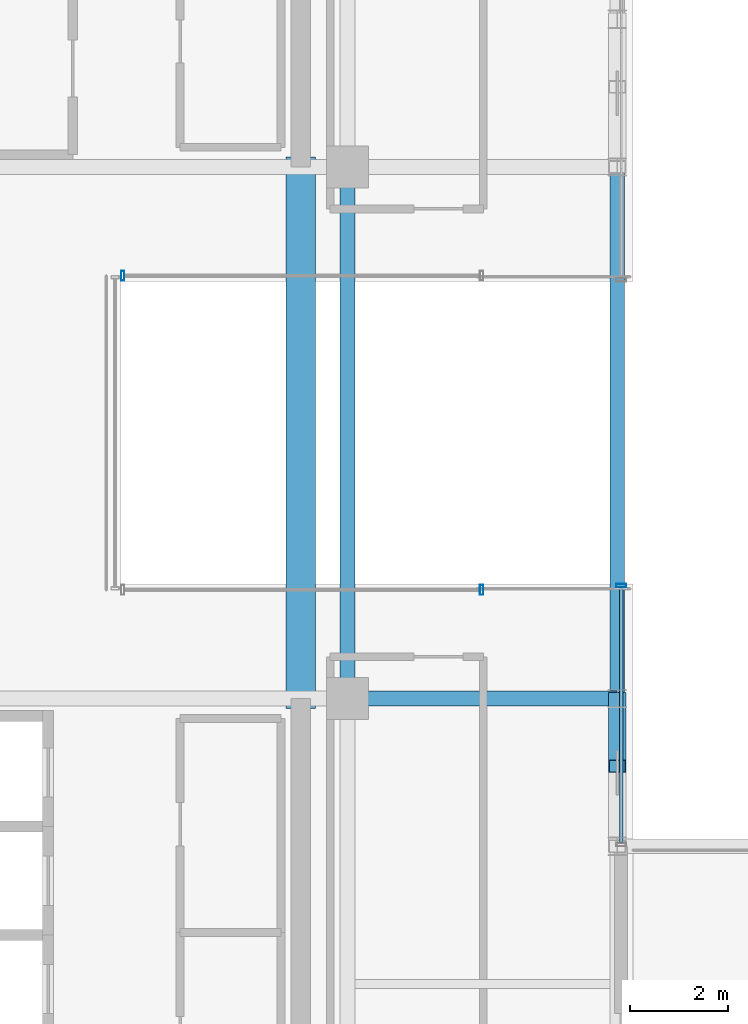
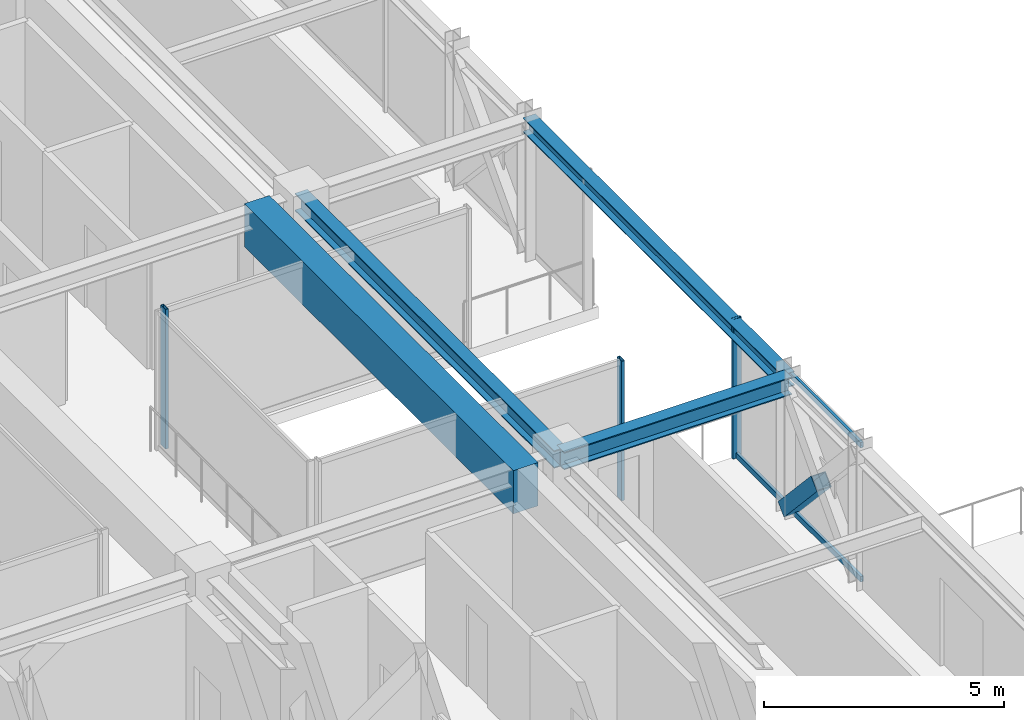
# One storey, part 20 of 39: 6 members, 4 beams, 3 elements without a shape of their own.
"""IFC4 building model written with IfcOpenShell, lengths in metres."""

import ifcopenshell
import ifcopenshell.guid

model = None  # the IFC model being written
_history = None  # IfcOwnerHistory: only IFC2X3 demands one
_inside = {}  # id of a spatial element -> (the spatial element, [elements in it])
_under = {}  # id of a project, library or spatial element -> (it, [spatial elements below it])
_declared = {}  # id of a project -> (the project, [libraries it declares])
_typed = {}  # id of a type object -> (the type object, [elements of that type])
_made_of = {}  # id of a material, layer set ... -> (it, [elements and type objects made of it])


def new_model(schema):
    """Start an empty IFC model of exactly this schema.

    Asked for "IFC4X3", IfcOpenShell would pick the latest addendum, in which some entities
    have other attributes; the version numbers below select the first issue.
    IFC2X3 requires an IfcOwnerHistory on every rooted entity: one is made here for all.
    """
    global model, _history
    if schema == "IFC4X3":
        model = ifcopenshell.file(schema_version=(4, 3, 0, 0))
    else:
        model = ifcopenshell.file(schema=schema)
    _inside.clear()
    _under.clear()
    _declared.clear()
    _typed.clear()
    _made_of.clear()
    _history = None
    if model.schema == "IFC2X3":
        org = make("IfcOrganization", Name="unknown")
        user = make(
            "IfcPersonAndOrganization",
            ThePerson=make("IfcPerson", FamilyName="unknown"),
            TheOrganization=org,
        )
        app = make(
            "IfcApplication",
            ApplicationDeveloper=org,
            Version="unknown",
            ApplicationFullName="unknown",
            ApplicationIdentifier="unknown",
        )
        _history = make(
            "IfcOwnerHistory",
            OwningUser=user,
            OwningApplication=app,
            ChangeAction="ADDED",
            CreationDate=0,
        )
    return model


def make(cls, **values):
    """One entity of the class cls with the attributes given. An attribute that is None is left unset."""
    return model.create_entity(
        cls, **{name: value for name, value in values.items() if value is not None}
    )


def rooted(cls, **values):
    """An entity with a GlobalId (a new one), such as an element, a storey or a relation."""
    return make(cls, GlobalId=ifcopenshell.guid.new(), OwnerHistory=_history, **values)


def si_unit(unit_type, name, prefix=None):
    """IfcSIUnit, for example si_unit("LENGTHUNIT", "METRE", prefix="MILLI")."""
    return make("IfcSIUnit", UnitType=unit_type, Prefix=prefix, Name=name)


def assignment(units):
    """IfcUnitAssignment: the units of a project."""
    return None if units is None else make("IfcUnitAssignment", Units=units)


def point(xyz):
    """IfcCartesianPoint."""
    return None if xyz is None else make("IfcCartesianPoint", Coordinates=xyz)


def direction(xyz):
    """IfcDirection."""
    return None if xyz is None else make("IfcDirection", DirectionRatios=xyz)


def frame(location, z_axis=None, x_axis=None):
    """IfcAxis2Placement3D, a coordinate frame: its origin and axes. An axis left out is left unset."""
    return make(
        "IfcAxis2Placement3D",
        Location=point(location),
        Axis=direction(z_axis),
        RefDirection=direction(x_axis),
    )


def frame_2d(location, x_axis=None):
    """IfcAxis2Placement2D, a coordinate frame in the plane: its origin and x axis."""
    return make(
        "IfcAxis2Placement2D", Location=point(location), RefDirection=direction(x_axis)
    )


def origin():
    """The frame at (0, 0, 0) with its axes left unset."""
    return frame((0.0, 0.0, 0.0))


def origin_2d():
    """The frame at (0, 0) in the plane with its x axis left unset."""
    return frame_2d((0.0, 0.0))


def place(relative_to, where):
    """IfcLocalPlacement: puts the frame where relative to a parent placement (None: the world)."""
    return make(
        "IfcLocalPlacement", PlacementRelTo=relative_to, RelativePlacement=where
    )


def context(
    kind, dimensions, precision=None, world=None, true_north=None, identifier=None
):
    """IfcGeometricRepresentationContext, for example the 3D "Model" context."""
    return make(
        "IfcGeometricRepresentationContext",
        ContextIdentifier=identifier,
        ContextType=kind,
        CoordinateSpaceDimension=dimensions,
        Precision=precision,
        WorldCoordinateSystem=world,
        TrueNorth=true_north,
    )


def subcontext(parent, identifier, kind, view, scale=None):
    """IfcGeometricRepresentationSubContext, for example "Body" below "Model"."""
    return make(
        "IfcGeometricRepresentationSubContext",
        ContextIdentifier=identifier,
        ContextType=kind,
        ParentContext=parent,
        TargetScale=scale,
        TargetView=view,
    )


def project(units=None, contexts=None):
    """IfcProject with its units and contexts."""
    return rooted(
        "IfcProject",
        Name="project",
        RepresentationContexts=contexts,
        UnitsInContext=assignment(units),
    )


def spatial(cls, under=None, at=None, **own):
    """A site, building, storey or space (cls), placed at a placement, below another one or the project."""
    s = rooted(cls, ObjectPlacement=at, **own)
    if under is not None:
        _under.setdefault(under.id(), (under, []))[1].append(s)
    return s


def profile(cls, at=None, kind="AREA", **sizes):
    """A parametric profile (cls). Its sizes go by their IFC names, for example OverallWidth=200.0."""
    return make(cls, ProfileType=kind, Position=at, **sizes)


def rectangle(**sizes):
    """IfcRectangleProfileDef."""
    return profile("IfcRectangleProfileDef", **sizes)


def hollow_rectangle(**sizes):
    """IfcRectangleHollowProfileDef."""
    return profile("IfcRectangleHollowProfileDef", **sizes)


def i_section(**sizes):
    """IfcIShapeProfileDef."""
    return profile("IfcIShapeProfileDef", **sizes)


def extrude(swept, where, along, depth):
    """IfcExtrudedAreaSolid: the profile swept, set in the frame where, extruded along a direction by depth."""
    return make(
        "IfcExtrudedAreaSolid",
        SweptArea=swept,
        Position=where,
        ExtrudedDirection=direction(along),
        Depth=depth,
    )


def shape(context_of_items, identifier, shape_type, items):
    """IfcShapeRepresentation: the items that make up one representation, for example the "Body"."""
    return make(
        "IfcShapeRepresentation",
        ContextOfItems=context_of_items,
        RepresentationIdentifier=identifier,
        RepresentationType=shape_type,
        Items=items,
    )


def source(mapping_origin, context_of_items, identifier, shape_type, items):
    """IfcRepresentationMap: a shape defined once, which mapped items show again and again."""
    return make(
        "IfcRepresentationMap",
        MappingOrigin=mapping_origin,
        MappedRepresentation=shape(context_of_items, identifier, shape_type, items),
    )


def transform(
    local_origin,
    x_axis=None,
    y_axis=None,
    z_axis=None,
    scale=None,
    scale2=None,
    scale3=None,
    uniform=True,
):
    """IfcCartesianTransformationOperator3D, or its non-uniform kind. x_axis, y_axis, z_axis: its Axis1, 2, 3."""
    if uniform:
        return make(
            "IfcCartesianTransformationOperator3D",
            Axis1=direction(x_axis),
            Axis2=direction(y_axis),
            LocalOrigin=point(local_origin),
            Scale=scale,
            Axis3=direction(z_axis),
        )
    return make(
        "IfcCartesianTransformationOperator3DnonUniform",
        Axis1=direction(x_axis),
        Axis2=direction(y_axis),
        LocalOrigin=point(local_origin),
        Scale=scale,
        Axis3=direction(z_axis),
        Scale2=scale2,
        Scale3=scale3,
    )


def mapped(mapping_source, mapping_target):
    """IfcMappedItem: shows the shape of a source again, moved by a transform."""
    return make(
        "IfcMappedItem", MappingSource=mapping_source, MappingTarget=mapping_target
    )


def material(Name=None, Category=None):
    """IfcMaterial."""
    return make("IfcMaterial", Name=Name, Category=Category)


def material_profile(
    of_material, cross_section, Name=None, Category=None, Priority=None
):
    """IfcMaterialProfile: a cross section and its material."""
    return make(
        "IfcMaterialProfile",
        Name=Name,
        Material=of_material,
        Profile=cross_section,
        Priority=Priority,
        Category=Category,
    )


def profile_set(profiles, Name=None, composite=None):
    """IfcMaterialProfileSet."""
    return make(
        "IfcMaterialProfileSet",
        Name=Name,
        MaterialProfiles=profiles,
        CompositeProfile=composite,
    )


def made_of(thing, what):
    """Note that an element or type object is made of a material, layer set ...; save() writes the relation."""
    if what is not None:
        _made_of.setdefault(what.id(), (what, []))[1].append(thing)
    return thing


def type_object(cls, material=None, **own):
    """A type object (cls), such as IfcWallType, which elements share."""
    return made_of(rooted(cls, **own), material)


def element(
    cls,
    number,
    at=None,
    inside=None,
    cuts=None,
    type_object=None,
    material=None,
    context=None,
    identifier="Body",
    shape_type=None,
    held_by="IfcProductDefinitionShape",
    body=None,
    shapes=None,
    **own,
):
    """One element of the class cls, such as IfcWall. Its Tag is "e" and its number.

    at: its placement. inside: the storey or other place that contains it. cuts: it is an
    opening in that element (IfcRelVoidsElement). A single representation is given by context,
    identifier, shape_type and body (its items); several are given by shapes. held_by: the class
    of the entity that holds the representations. save() writes the other relations.
    """
    e = rooted(cls, Tag="e%d" % number, ObjectPlacement=at, **own)
    if body is not None:
        shapes = [shape(context, identifier, shape_type, body)]
    if shapes is not None:
        e.Representation = make(held_by, Representations=shapes)
    if inside is not None:
        _inside.setdefault(inside.id(), (inside, []))[1].append(e)
    if cuts is not None:
        rooted(
            "IfcRelVoidsElement", RelatingBuildingElement=cuts, RelatedOpeningElement=e
        )
    if type_object is not None:
        _typed.setdefault(type_object.id(), (type_object, []))[1].append(e)
    return made_of(e, material)


def aggregate(whole, parts):
    """IfcRelAggregates: a whole, such as a stair, and the parts it consists of."""
    return rooted("IfcRelAggregates", RelatingObject=whole, RelatedObjects=parts)


def save(model, path):
    """Write the relations noted so far, then the file.

    IfcRelAggregates (storeys below a building ...), IfcRelContainedInSpatialStructure (elements
    in a storey), IfcRelDefinesByType, IfcRelAssociatesMaterial and IfcRelDeclares: one each for
    every whole, place, type object, material and project.
    """
    for whole, parts in _under.values():
        aggregate(whole, parts)
    for where, things in _inside.values():
        rooted(
            "IfcRelContainedInSpatialStructure",
            RelatedElements=things,
            RelatingStructure=where,
        )
    for kind, things in _typed.values():
        rooted("IfcRelDefinesByType", RelatedObjects=things, RelatingType=kind)
    for what, things in _made_of.values():
        rooted("IfcRelAssociatesMaterial", RelatedObjects=things, RelatingMaterial=what)
    for by, libraries in _declared.values():
        rooted("IfcRelDeclares", RelatingContext=by, RelatedDefinitions=libraries)
    model.write(path)


model = new_model("IFC4")

# Units and contexts
model_context = context("Model", 3, precision=1e-05, world=origin(), true_north=direction((0.0, 1.0)))
body_context = subcontext(model_context, "Body", "Model", "MODEL_VIEW")
ifc_project = project(units=[si_unit("LENGTHUNIT", "METRE"), si_unit("AREAUNIT", "SQUARE_METRE"), si_unit("VOLUMEUNIT", "CUBIC_METRE"), si_unit("PLANEANGLEUNIT", "RADIAN"), si_unit("MASSUNIT", "GRAM", prefix="KILO")], contexts=[model_context])

# Site, building, storey
site_placement = place(None, origin())
site = spatial("IfcSite", under=ifc_project, at=site_placement, CompositionType="ELEMENT")
building_placement = place(site_placement, origin())
building = spatial("IfcBuilding", under=site, at=building_placement, Name="Nahalor Promenade Grand Hotel", CompositionType="ELEMENT")
storey_placement = place(building_placement, frame((0.0, 0.0, 311.89990234375)))
storey = spatial("IfcBuildingStorey", under=building, at=storey_placement, Name="L80", CompositionType="ELEMENT", Elevation=311.89990234375)

# Beams
ifc_material_1 = material(Name="Concrete B-60 (C50/60)", Category="concrete")
ifc_material_profile_1 = material_profile(ifc_material_1, rectangle(XDim=0.6, YDim=1.1, at=origin_2d()), Name="RC 600x1100")
ifc_profile_set_1 = profile_set([ifc_material_profile_1], Name="Concrete B-60 (C50/60)")
beam_type_1 = type_object("IfcBeamType", Name="Beam-Lintel-RC1100", PredefinedType="LINTEL", material=ifc_profile_set_1)
shared_shape_1 = source(origin(), body_context, "Body", "SweptSolid", [
    extrude(rectangle(XDim=0.6, YDim=1.1, at=origin_2d()), origin(), (0.0, 0.0, 1.0), 11.2001953125),
])
beam_1_placement = place(storey_placement, frame((16.050048828125, -5.60009765625, 3.0), z_axis=(0.0, 1.0, 0.0), x_axis=(-1.0, 0.0, 0.0)))
element("IfcBeam", 1, at=beam_1_placement, inside=storey, type_object=beam_type_1, Name="BM-L80-LINT-E", PredefinedType="LINTEL", context=body_context, shape_type="MappedRepresentation", body=[
    mapped(shared_shape_1, transform((0.0, 0.0, 0.0), scale=1.0)),
])
ifc_material_2 = material(Name="Steel S355JR", Category="steel")
ifc_material_profile_2 = material_profile(ifc_material_2, i_section(OverallWidth=0.3, OverallDepth=0.45, WebThickness=0.014, FlangeThickness=0.026, at=origin_2d()), Name="HEB 450")
ifc_profile_set_2 = profile_set([ifc_material_profile_2], Name="Steel S355JR")
beam_type_2 = type_object("IfcBeamType", Name="Beam-Girder-HEB450", PredefinedType="BEAM", material=ifc_profile_set_2)
shared_shape_2 = source(origin(), body_context, "Body", "SweptSolid", [
    extrude(i_section(OverallWidth=0.3, OverallDepth=0.45, WebThickness=0.014, FlangeThickness=0.026, at=origin_2d()), origin(), (0.0, 0.0, 1.0), 10.7998046875),
])
beam_2_placement = place(storey_placement, frame((17.0, -5.39990234375, 3.3251953125), z_axis=(0.0, 1.0, 0.0), x_axis=(-1.0, 0.0, 0.0)))
element("IfcBeam", 2, at=beam_2_placement, inside=storey, type_object=beam_type_2, Name="BM-L80-GY-5-2", PredefinedType="BEAM", context=body_context, shape_type="MappedRepresentation", body=[
    mapped(shared_shape_2, transform((0.0, 0.0, 0.0), scale=1.0)),
])
shared_shape_3 = source(origin(), body_context, "Body", "SweptSolid", [
    extrude(i_section(OverallWidth=0.3, OverallDepth=0.45, WebThickness=0.014, FlangeThickness=0.026, at=origin_2d()), origin(), (0.0, 0.0, 1.0), 5.47998046875),
])
beam_3_placement = place(storey_placement, frame((17.0, -5.39990234375, 3.3251953125), z_axis=(1.0, 0.0, 0.0), x_axis=(0.0, 1.0, 0.0)))
element("IfcBeam", 3, at=beam_3_placement, inside=storey, type_object=beam_type_2, Name="BM-L80-GX-1-6", PredefinedType="BEAM", context=body_context, shape_type="MappedRepresentation", body=[
    mapped(shared_shape_3, transform((0.0, 0.0, 0.0), scale=1.0)),
])
ifc_material_profile_3 = material_profile(ifc_material_2, i_section(OverallWidth=0.3, OverallDepth=0.36, WebThickness=0.0125, FlangeThickness=0.0225, at=origin_2d()), Name="HEB 360")
ifc_profile_set_3 = profile_set([ifc_material_profile_3], Name="Steel S355JR")
beam_type_3 = type_object("IfcBeamType", Name="Beam-Spandrel-HEB360", PredefinedType="SPANDREL", material=ifc_profile_set_3)
shared_shape_4 = source(origin(), body_context, "Body", "SweptSolid", [
    extrude(i_section(OverallWidth=0.3, OverallDepth=0.36, WebThickness=0.0125, FlangeThickness=0.0225, at=origin_2d()), origin(), (0.0, 0.0, 1.0), 10.7998046875),
])
beam_4_placement = place(storey_placement, frame((22.47998046875, -5.39990234375, 3.3701171875), z_axis=(0.0, 1.0, 0.0), x_axis=(-1.0, 0.0, 0.0)))
element("IfcBeam", 4, at=beam_4_placement, inside=storey, type_object=beam_type_3, Name="BM-L80-SP-E-2", PredefinedType="SPANDREL", context=body_context, shape_type="MappedRepresentation", body=[
    mapped(shared_shape_4, transform((0.0, 0.0, 0.0), scale=1.0)),
])

# Member
ifc_material_profile_4 = material_profile(ifc_material_2, hollow_rectangle(XDim=0.35, YDim=0.35, WallThickness=0.02, at=origin_2d()), Name="SHS 350x350x20")
ifc_profile_set_4 = profile_set([ifc_material_profile_4], Name="Steel S355JR")
member_type_1 = type_object("IfcMemberType", Name="Mem-VoidBrace-SHS350", PredefinedType="BRACE", material=ifc_profile_set_4)
shared_shape_5 = source(origin(), body_context, "Body", "SweptSolid", [
    extrude(hollow_rectangle(XDim=0.35, YDim=0.35, WallThickness=0.02, at=origin_2d()), origin(), (0.0, 0.0, 1.0), 2.02392578125),
])
member_1_placement = place(storey_placement, frame((22.47998046875, -5.39990234375, 0.150146484375), z_axis=(0.0, -0.678315173958, 0.734771069639), x_axis=(1.0, 0.0, 0.0)))
element("IfcMember", 5, at=member_1_placement, inside=storey, type_object=member_type_1, Name="EXO-L80-VX2-E0A", PredefinedType="BRACE", context=body_context, shape_type="MappedRepresentation", body=[
    mapped(shared_shape_5, transform((0.0, 0.0, 0.0), scale=1.0)),
])

# Curtain wall, member
ifc_material_3 = material(Name="Anodised Bronze Aluminium EN AW-6063 T6", Category="aluminium")
curtain_wall_type = type_object("IfcCurtainWallType", Name="CW3 Elliptical-Void Collar Unitised Curtain Wall", PredefinedType="USERDEFINED", material=ifc_material_3)
curtain_wall_1_placement = place(storey_placement, origin())
curtain_wall_1 = element("IfcCurtainWall", 6, at=curtain_wall_1_placement, inside=storey, type_object=curtain_wall_type, Name="L80 Curtain Wall CW-L80-E-3", ObjectType="UNITISED_CURTAIN_WALL", PredefinedType="USERDEFINED")
ifc_material_profile_5 = material_profile(ifc_material_3, hollow_rectangle(XDim=0.07, YDim=0.2, WallThickness=0.005, at=origin_2d()), Name="CWM 70x200x5")
ifc_profile_set_5 = profile_set([ifc_material_profile_5], Name="Anodised Bronze Aluminium EN AW-6063 T6")
member_type_2 = type_object("IfcMemberType", Name="CWM3 Void Collar Mullion 70x200", PredefinedType="MULLION", material=ifc_profile_set_5)
shared_shape_6 = source(origin(), body_context, "Body", "SweptSolid", [
    extrude(hollow_rectangle(XDim=0.07, YDim=0.2, WallThickness=0.005, at=origin_2d()), origin(), (0.0, 0.0, 1.0), 3.550048828125),
])
member_2_placement = place(storey_placement, frame((22.56005859375, -3.10595703125, 0.0), z_axis=(0.0, 0.0, 1.0), x_axis=(0.0, 1.0, 0.0)))
member_2 = element("IfcMember", 7, at=member_2_placement, type_object=member_type_2, Name="CW-L80-E-3 Mullion 1", PredefinedType="MULLION", context=body_context, shape_type="MappedRepresentation", body=[
    mapped(shared_shape_6, transform((0.0, 0.0, 0.0), scale=1.0)),
])

curtain_wall_2_placement = place(storey_placement, origin())
curtain_wall_2 = element("IfcCurtainWall", 8, at=curtain_wall_2_placement, inside=storey, type_object=curtain_wall_type, Name="L80 Curtain Wall CW-L80-VOID-ES1", ObjectType="UNITISED_CURTAIN_WALL", PredefinedType="USERDEFINED")
member_3_placement = place(storey_placement, frame((19.72509765625, -3.19091796875, 0.0), z_axis=(0.0, 0.0, 1.0), x_axis=(1.0, 0.0, 0.0)))
member_3 = element("IfcMember", 9, at=member_3_placement, type_object=member_type_2, Name="CW-L80-VOID-ES1 Mullion 1", PredefinedType="MULLION", context=body_context, shape_type="MappedRepresentation", body=[
    mapped(shared_shape_6, transform((0.0, 0.0, 0.0), scale=1.0)),
])
aggregate(curtain_wall_2, [member_3])

curtain_wall_3_placement = place(storey_placement, origin())
curtain_wall_3 = element("IfcCurtainWall", 10, at=curtain_wall_3_placement, inside=storey, type_object=curtain_wall_type, Name="L80 Curtain Wall CW-L80-VOID-EN1", ObjectType="UNITISED_CURTAIN_WALL", PredefinedType="USERDEFINED")
member_4_placement = place(storey_placement, frame((12.43505859375, 3.19091796875, 0.0), z_axis=(0.0, 0.0, 1.0), x_axis=(1.0, 0.0, 0.0)))
member_4 = element("IfcMember", 11, at=member_4_placement, type_object=member_type_2, Name="CW-L80-VOID-EN1 Mullion 0", PredefinedType="MULLION", context=body_context, shape_type="MappedRepresentation", body=[
    mapped(shared_shape_6, transform((0.0, 0.0, 0.0), scale=1.0)),
])
aggregate(curtain_wall_3, [member_4])

# Member
ifc_material_profile_6 = material_profile(ifc_material_3, hollow_rectangle(XDim=0.07, YDim=0.14, WallThickness=0.004, at=origin_2d()), Name="CWT 70x140x4")
ifc_profile_set_6 = profile_set([ifc_material_profile_6], Name="Anodised Bronze Aluminium EN AW-6063 T6")
member_type_3 = type_object("IfcMemberType", Name="CWT3 Void Collar Transom 70x140", PredefinedType="USERDEFINED", material=ifc_profile_set_6)
shared_shape_7 = source(origin(), body_context, "Body", "SweptSolid", [
    extrude(hollow_rectangle(XDim=0.07, YDim=0.14, WallThickness=0.004, at=origin_2d()), origin(), (0.0, 0.0, 1.0), 5.18896484375),
])
member_5_placement = place(storey_placement, frame((22.56005859375, -8.330078125, 0.070068359375), z_axis=(0.0, 1.0, 0.0), x_axis=(-1.0, 0.0, 0.0)))
member_5 = element("IfcMember", 12, at=member_5_placement, type_object=member_type_3, Name="CW-L80-E-3 Transom 0-0", ObjectType="TRANSOM", PredefinedType="USERDEFINED", context=body_context, shape_type="MappedRepresentation", body=[
    mapped(shared_shape_7, transform((0.0, 0.0, 0.0), scale=1.0)),
])

member_6_placement = place(storey_placement, frame((22.56005859375, -8.330078125, 3.47998046875), z_axis=(0.0, 1.0, 0.0), x_axis=(-1.0, 0.0, 0.0)))
member_6 = element("IfcMember", 13, at=member_6_placement, type_object=member_type_3, Name="CW-L80-E-3 Transom 0-1", ObjectType="TRANSOM", PredefinedType="USERDEFINED", context=body_context, shape_type="MappedRepresentation", body=[
    mapped(shared_shape_7, transform((0.0, 0.0, 0.0), scale=1.0)),
])

aggregate(curtain_wall_1, [member_2, member_5, member_6])

save(model, "model.ifc")
